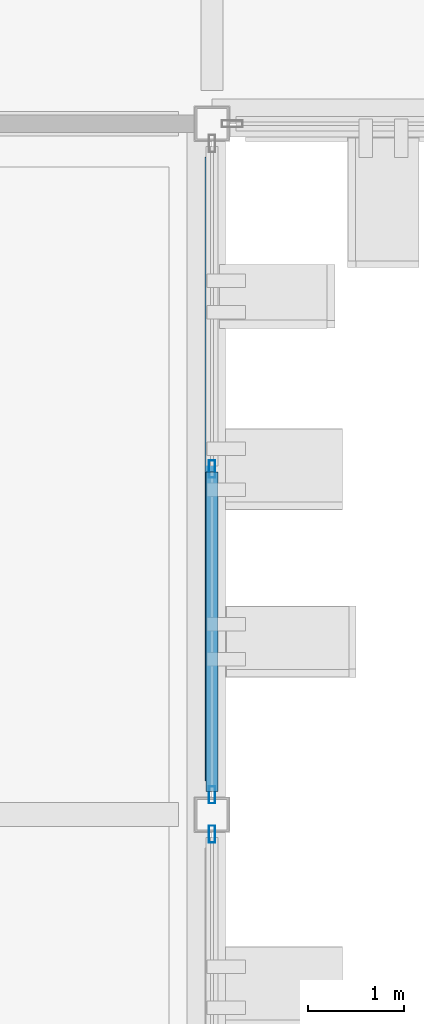
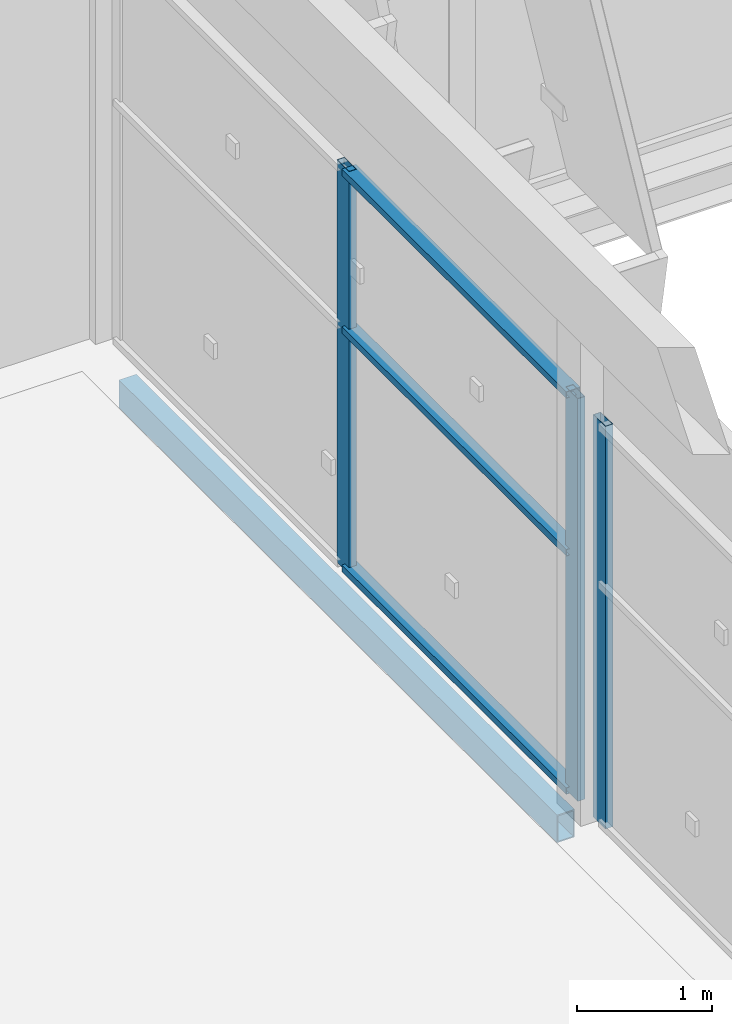
# One storey, part 57 of 124: 6 members, 1 beam, 2 elements without a shape of their own.
"""IFC4 building model written with IfcOpenShell, lengths in metres."""

from ifc_helpers import new_model, si_unit, direction, frame, origin, origin_2d, place, context, subcontext, project, spatial, hollow_rectangle, extrude, material, layer, layer_set, material_profile, profile_set, type_object, element, aggregate, save


model = new_model("IFC4")

# Units and contexts
model_context = context("Model", 3, precision=1e-05, world=origin(), true_north=direction((0.0, 1.0)))
body_context = subcontext(model_context, "Body", "Model", "MODEL_VIEW")
ifc_project = project(units=[si_unit("LENGTHUNIT", "METRE"), si_unit("AREAUNIT", "SQUARE_METRE"), si_unit("VOLUMEUNIT", "CUBIC_METRE"), si_unit("PLANEANGLEUNIT", "RADIAN"), si_unit("MASSUNIT", "GRAM", prefix="KILO")], contexts=[model_context])

# Site, building, storey
site_placement = place(None, origin())
site = spatial("IfcSite", under=ifc_project, at=site_placement, CompositionType="ELEMENT")
building_placement = place(site_placement, origin())
building = spatial("IfcBuilding", under=site, at=building_placement, Name="Celestram Park Convention Centre", CompositionType="ELEMENT")
storey_placement = place(building_placement, frame((0.0, 0.0, 15.300048828125)))
storey = spatial("IfcBuildingStorey", under=building, at=storey_placement, Name="L03", CompositionType="ELEMENT", Elevation=15.300048828125)

# Curtain wall, members
ifc_material_1 = material(Name="Anodised Aluminium Alloy 6063-T6", Category="aluminium")
ifc_layer = layer(ifc_material_1, 0.179931640625)
ifc_layer_set = layer_set([ifc_layer], Name="Anodised Aluminium Alloy 6063-T6")
curtain_wall_type = type_object("IfcCurtainWallType", Name="ARC-CW-685X365", PredefinedType="NOTDEFINED", material=ifc_layer_set)
curtain_wall_1_placement = place(storey_placement, origin())
curtain_wall_1 = element("IfcCurtainWall", 1, at=curtain_wall_1_placement, inside=storey, type_object=curtain_wall_type, Name="Unitised curtain wall CU-L03-217", PredefinedType="NOTDEFINED")
ifc_material_profile_1 = material_profile(ifc_material_1, hollow_rectangle(XDim=0.06494140625, YDim=0.179931640625, WallThickness=0.00390625, at=origin_2d()), Name="ALU65X180X4")
ifc_profile_set_1 = profile_set([ifc_material_profile_1], Name="Anodised Aluminium Alloy 6063-T6")
member_type_1 = type_object("IfcMemberType", Name="ARC-CWM-150", PredefinedType="MULLION", material=ifc_profile_set_1)
member_1_placement = place(storey_placement, frame((144.0, 118.800048828125, 0.0), z_axis=(0.0, 0.0, 1.0), x_axis=(1.0, 0.0, 0.0)))
member_1 = element("IfcMember", 2, at=member_1_placement, type_object=member_type_1, Name="CW-68X36 mullion 2", PredefinedType="MULLION", context=body_context, shape_type="SweptSolid", body=[
    extrude(hollow_rectangle(XDim=0.06494140625, YDim=0.179931640625, WallThickness=0.00390625, at=origin_2d()), origin(), (0.0, 0.0, 1.0), 3.64794921875),
])
member_2_placement = place(storey_placement, frame((144.0, 115.405517578125, 0.0), z_axis=(0.0, 0.0, 1.0), x_axis=(1.0, 0.0, 0.0)))
member_2 = element("IfcMember", 3, at=member_2_placement, type_object=member_type_1, Name="CW-68X36 mullion 3", PredefinedType="MULLION", context=body_context, shape_type="SweptSolid", body=[
    extrude(hollow_rectangle(XDim=0.06494140625, YDim=0.179931640625, WallThickness=0.00390625, at=origin_2d()), origin(), (0.0, 0.0, 1.0), 3.64794921875),
])

# Curtain wall, member
curtain_wall_2_placement = place(storey_placement, origin())
curtain_wall_2 = element("IfcCurtainWall", 4, at=curtain_wall_2_placement, inside=storey, type_object=curtain_wall_type, Name="Unitised curtain wall CU-L03-218", PredefinedType="NOTDEFINED")
member_3_placement = place(storey_placement, frame((144.0, 114.994384765625, 0.0), z_axis=(0.0, 0.0, 1.0), x_axis=(1.0, 0.0, 0.0)))
member_3 = element("IfcMember", 5, at=member_3_placement, type_object=member_type_1, Name="CW-68X36 mullion 1", PredefinedType="MULLION", context=body_context, shape_type="SweptSolid", body=[
    extrude(hollow_rectangle(XDim=0.06494140625, YDim=0.179931640625, WallThickness=0.00390625, at=origin_2d()), origin(), (0.0, 0.0, 1.0), 3.64794921875),
])
aggregate(curtain_wall_2, [member_3])

# Member
ifc_material_profile_2 = material_profile(ifc_material_1, hollow_rectangle(XDim=0.1201171875, YDim=0.06005859375, WallThickness=0.0029296875, at=origin_2d()), Name="ALU120X60X3")
ifc_profile_set_2 = profile_set([ifc_material_profile_2], Name="Anodised Aluminium Alloy 6063-T6")
member_type_2 = type_object("IfcMemberType", Name="ARC-CWT-120", PredefinedType="USERDEFINED", material=ifc_profile_set_2)
member_4_placement = place(storey_placement, frame((144.0, 118.767578125, 0.030029296875), z_axis=(0.0, -1.0, 0.0), x_axis=(1.0, 0.0, 0.0)))
member_4 = element("IfcMember", 6, at=member_4_placement, type_object=member_type_2, Name="CW-68X36 transom 2.1", ObjectType="TRANSOM", PredefinedType="USERDEFINED", context=body_context, shape_type="SweptSolid", body=[
    extrude(hollow_rectangle(XDim=0.1201171875, YDim=0.06005859375, WallThickness=0.0029296875, at=origin_2d()), origin(), (0.0, 0.0, 1.0), 3.32958984375),
])

member_5_placement = place(storey_placement, frame((144.0, 118.767578125, 2.18896484375), z_axis=(0.0, -1.0, 0.0), x_axis=(1.0, 0.0, 0.0)))
member_5 = element("IfcMember", 7, at=member_5_placement, type_object=member_type_2, Name="CW-68X36 transom 2.2", ObjectType="TRANSOM", PredefinedType="USERDEFINED", context=body_context, shape_type="SweptSolid", body=[
    extrude(hollow_rectangle(XDim=0.1201171875, YDim=0.06005859375, WallThickness=0.0029296875, at=origin_2d()), origin(), (0.0, 0.0, 1.0), 3.32958984375),
])

member_6_placement = place(storey_placement, frame((144.0, 118.767578125, 3.617919921875), z_axis=(0.0, -1.0, 0.0), x_axis=(1.0, 0.0, 0.0)))
member_6 = element("IfcMember", 8, at=member_6_placement, type_object=member_type_2, Name="CW-68X36 transom 2.3", ObjectType="TRANSOM", PredefinedType="USERDEFINED", context=body_context, shape_type="SweptSolid", body=[
    extrude(hollow_rectangle(XDim=0.1201171875, YDim=0.06005859375, WallThickness=0.0029296875, at=origin_2d()), origin(), (0.0, 0.0, 1.0), 3.32958984375),
])

aggregate(curtain_wall_1, [member_1, member_2, member_4, member_5, member_6])

# Beam
ifc_material_2 = material(Name="Steel ASTM A500 Grade C", Category="steel")
ifc_material_profile_3 = material_profile(ifc_material_2, hollow_rectangle(XDim=0.14990234375, YDim=0.25, WallThickness=0.010009765625, at=origin_2d()), Name="HSS250X150X10")
ifc_profile_set_3 = profile_set([ifc_material_profile_3], Name="Steel ASTM A500 Grade C")
beam_type = type_object("IfcBeamType", Name="STR-SPN-HSS250X150", PredefinedType="SPANDREL", material=ifc_profile_set_3)
beam_placement = place(storey_placement, frame((144.0, 115.548095703125, -0.375), z_axis=(0.0, 1.0, 0.0), x_axis=(-1.0, 0.0, 0.0)))
element("IfcBeam", 9, at=beam_placement, inside=storey, type_object=beam_type, Name="Primary Y-girder BG-L03-0234", PredefinedType="SPANDREL", context=body_context, shape_type="SweptSolid", body=[
    extrude(hollow_rectangle(XDim=0.14990234375, YDim=0.25, WallThickness=0.010009765625, at=origin_2d()), origin(), (0.0, 0.0, 1.0), 6.50390625),
])

save(model, "model.ifc")
